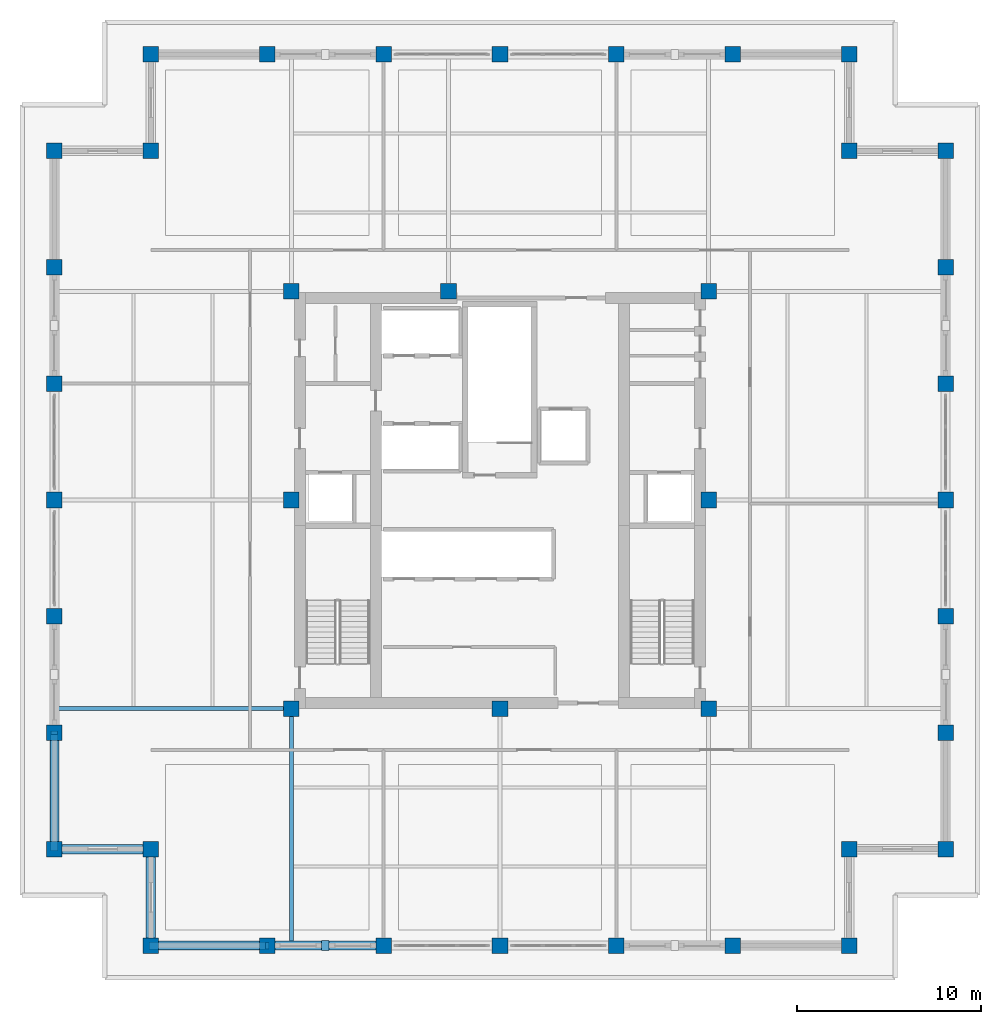
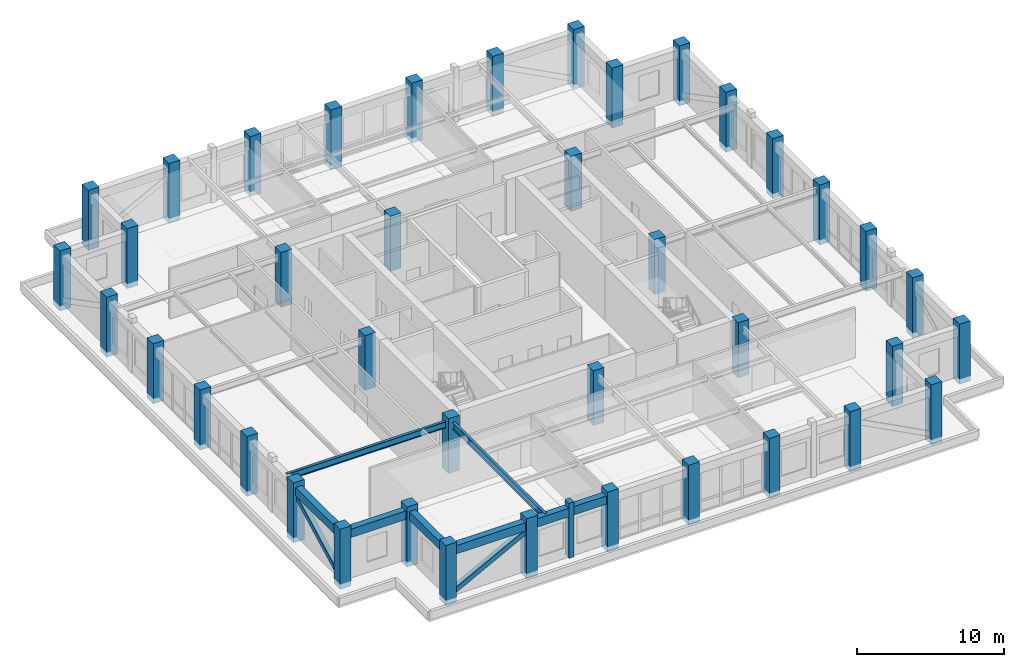
# One storey, part 1 of 14: 40 columns, 7 beams, 3 members.
"""IFC4 building model written with IfcOpenShell, lengths in metres."""

from ifc_helpers import new_model, si_unit, direction, frame, origin, origin_2d, place, context, subcontext, project, spatial, rectangle, hollow_rectangle, i_section, extrude, material, material_profile, profile_set, type_object, element, save


model = new_model("IFC4")

# Units and contexts
model_context = context("Model", 3, precision=1e-05, world=origin(), true_north=direction((0.0, 1.0)))
body_context = subcontext(model_context, "Body", "Model", "MODEL_VIEW")
ifc_project = project(units=[si_unit("LENGTHUNIT", "METRE"), si_unit("AREAUNIT", "SQUARE_METRE"), si_unit("VOLUMEUNIT", "CUBIC_METRE"), si_unit("PLANEANGLEUNIT", "RADIAN"), si_unit("MASSUNIT", "GRAM", prefix="KILO")], contexts=[model_context])

# Site, building, storey
site_placement = place(None, origin())
site = spatial("IfcSite", under=ifc_project, at=site_placement, CompositionType="ELEMENT")
building_placement = place(site_placement, origin())
building = spatial("IfcBuilding", under=site, at=building_placement, Name="Nhamokura Convention Tower", CompositionType="ELEMENT")
storey_placement = place(building_placement, frame((0.0, 0.0, 182.35009765625)))
storey = spatial("IfcBuildingStorey", under=building, at=storey_placement, Name="L44", CompositionType="ELEMENT", Elevation=182.35009765625)

# Columns
ifc_material_1 = material(Name="Concrete C50/60", Category="concrete")
ifc_material_profile_1 = material_profile(ifc_material_1, rectangle(XDim=0.85009765625, YDim=0.85009765625, at=origin_2d()))
ifc_profile_set_1 = profile_set([ifc_material_profile_1], Name="Concrete C50/60")
column_type = type_object("IfcColumnType", Name="TubeColumn_Z3_850", PredefinedType="COLUMN", material=ifc_profile_set_1)
for number, where, z_axis, x_axis, name in (
    (1, (20.64990234375, 20.64990234375, 0.0), (0.0, 0.0, 1.0), (1.0, 0.0, 0.0), "L44 Core Column CC-SW"),
    (2, (32.0, 20.64990234375, 0.0), (0.0, 0.0, 1.0), (1.0, 0.0, 0.0), "L44 Core Column CC-S"),
    (3, (43.35009765625, 20.64990234375, 0.0), (0.0, 0.0, 1.0), (1.0, 0.0, 0.0), "L44 Core Column CC-SE"),
    (4, (43.35009765625, 32.0, 0.0), (0.0, 0.0, 1.0), (1.0, 0.0, 0.0), "L44 Core Column CC-E"),
    (5, (43.35009765625, 43.35009765625, 0.0), (0.0, 0.0, 1.0), (1.0, 0.0, 0.0), "L44 Core Column CC-NE"),
    (6, (29.199951171875, 43.35009765625, 0.0), (0.0, 0.0, 1.0), (1.0, 0.0, 0.0), "L44 Core Column CC-N"),
    (7, (20.64990234375, 43.35009765625, 0.0), (0.0, 0.0, 1.0), (1.0, 0.0, 0.0), "L44 Core Column CC-NW"),
    (8, (20.64990234375, 32.0, 0.0), (0.0, 0.0, 1.0), (1.0, 0.0, 0.0), "L44 Core Column CC-W"),
):
    element("IfcColumn", number, at=place(storey_placement, frame(where, z_axis=z_axis, x_axis=x_axis)), inside=storey, type_object=column_type, Name=name, PredefinedType="COLUMN", context=body_context, shape_type="SweptSolid", body=[
        extrude(rectangle(XDim=0.85009765625, YDim=0.85009765625, at=origin_2d()), origin(), (0.0, 0.0, 1.0), 4.5498046875),
    ])
for number, where, z_axis, x_axis, name in (
    (9, (13.0, 7.75, -0.420166015625), (0.0, 0.0, 1.0), (1.0, 0.0, 0.0), "L44 Perimeter Tube Column SW1"),
    (10, (13.0, 13.0, -0.420166015625), (0.0, 0.0, 1.0), (1.0, 0.0, 0.0), "L44 Perimeter Tube Column SW0"),
    (11, (7.75, 13.0, -0.420166015625), (0.0, 0.0, 1.0), (1.0, 0.0, 0.0), "L44 Perimeter Tube Column SW2"),
    (12, (51.0, 7.75, -0.420166015625), (0.0, 0.0, 1.0), (1.0, 0.0, 0.0), "L44 Perimeter Tube Column SE1"),
    (13, (51.0, 13.0, -0.420166015625), (0.0, 0.0, 1.0), (1.0, 0.0, 0.0), "L44 Perimeter Tube Column SE0"),
    (14, (56.25, 13.0, -0.420166015625), (0.0, 0.0, 1.0), (1.0, 0.0, 0.0), "L44 Perimeter Tube Column SE2"),
    (15, (56.25, 51.0, -0.420166015625), (0.0, 0.0, 1.0), (1.0, 0.0, 0.0), "L44 Perimeter Tube Column NE1"),
    (16, (51.0, 51.0, -0.420166015625), (0.0, 0.0, 1.0), (1.0, 0.0, 0.0), "L44 Perimeter Tube Column NE0"),
    (17, (51.0, 56.25, -0.420166015625), (0.0, 0.0, 1.0), (1.0, 0.0, 0.0), "L44 Perimeter Tube Column NE2"),
    (18, (13.0, 56.25, -0.420166015625), (0.0, 0.0, 1.0), (1.0, 0.0, 0.0), "L44 Perimeter Tube Column NW1"),
    (19, (13.0, 51.0, -0.420166015625), (0.0, 0.0, 1.0), (1.0, 0.0, 0.0), "L44 Perimeter Tube Column NW0"),
    (20, (7.75, 51.0, -0.420166015625), (0.0, 0.0, 1.0), (1.0, 0.0, 0.0), "L44 Perimeter Tube Column NW2"),
    (21, (19.333251953125, 7.75, -0.420166015625), (0.0, 0.0, 1.0), (1.0, 0.0, 0.0), "L44 Perimeter Tube Column S1"),
    (22, (19.333251953125, 56.25, -0.420166015625), (0.0, 0.0, 1.0), (1.0, 0.0, 0.0), "L44 Perimeter Tube Column N1"),
    (23, (7.75, 19.333251953125, -0.420166015625), (0.0, 0.0, 1.0), (1.0, 0.0, 0.0), "L44 Perimeter Tube Column W1"),
    (24, (56.25, 19.333251953125, -0.420166015625), (0.0, 0.0, 1.0), (1.0, 0.0, 0.0), "L44 Perimeter Tube Column E1"),
    (25, (25.666748046875, 7.75, -0.420166015625), (0.0, 0.0, 1.0), (1.0, 0.0, 0.0), "L44 Perimeter Tube Column S2"),
    (26, (25.666748046875, 56.25, -0.420166015625), (0.0, 0.0, 1.0), (1.0, 0.0, 0.0), "L44 Perimeter Tube Column N2"),
    (27, (7.75, 25.666748046875, -0.420166015625), (0.0, 0.0, 1.0), (1.0, 0.0, 0.0), "L44 Perimeter Tube Column W2"),
    (28, (56.25, 25.666748046875, -0.420166015625), (0.0, 0.0, 1.0), (1.0, 0.0, 0.0), "L44 Perimeter Tube Column E2"),
    (29, (32.0, 7.75, -0.420166015625), (0.0, 0.0, 1.0), (1.0, 0.0, 0.0), "L44 Perimeter Tube Column S3"),
    (30, (32.0, 56.25, -0.420166015625), (0.0, 0.0, 1.0), (1.0, 0.0, 0.0), "L44 Perimeter Tube Column N3"),
    (31, (7.75, 32.0, -0.420166015625), (0.0, 0.0, 1.0), (1.0, 0.0, 0.0), "L44 Perimeter Tube Column W3"),
    (32, (56.25, 32.0, -0.420166015625), (0.0, 0.0, 1.0), (1.0, 0.0, 0.0), "L44 Perimeter Tube Column E3"),
    (33, (38.333251953125, 7.75, -0.420166015625), (0.0, 0.0, 1.0), (1.0, 0.0, 0.0), "L44 Perimeter Tube Column S4"),
    (34, (38.333251953125, 56.25, -0.420166015625), (0.0, 0.0, 1.0), (1.0, 0.0, 0.0), "L44 Perimeter Tube Column N4"),
    (35, (7.75, 38.333251953125, -0.420166015625), (0.0, 0.0, 1.0), (1.0, 0.0, 0.0), "L44 Perimeter Tube Column W4"),
    (36, (56.25, 38.333251953125, -0.420166015625), (0.0, 0.0, 1.0), (1.0, 0.0, 0.0), "L44 Perimeter Tube Column E4"),
    (37, (44.666748046875, 7.75, -0.420166015625), (0.0, 0.0, 1.0), (1.0, 0.0, 0.0), "L44 Perimeter Tube Column S5"),
    (38, (44.666748046875, 56.25, -0.420166015625), (0.0, 0.0, 1.0), (1.0, 0.0, 0.0), "L44 Perimeter Tube Column N5"),
    (39, (7.75, 44.666748046875, -0.420166015625), (0.0, 0.0, 1.0), (1.0, 0.0, 0.0), "L44 Perimeter Tube Column W5"),
    (40, (56.25, 44.666748046875, -0.420166015625), (0.0, 0.0, 1.0), (1.0, 0.0, 0.0), "L44 Perimeter Tube Column E5"),
):
    element("IfcColumn", number, at=place(storey_placement, frame(where, z_axis=z_axis, x_axis=x_axis)), inside=storey, type_object=column_type, Name=name, PredefinedType="COLUMN", context=body_context, shape_type="SweptSolid", body=[
        extrude(rectangle(XDim=0.85009765625, YDim=0.85009765625, at=origin_2d()), origin(), (0.0, 0.0, 1.0), 4.969970703125),
    ])

# Member
ifc_material_2 = material(Name="Bronze-pigmented precast concrete C45/55", Category="concrete")
ifc_material_profile_2 = material_profile(ifc_material_2, rectangle(XDim=0.39990234375, YDim=0.550048828125, at=origin_2d()))
ifc_profile_set_2 = profile_set([ifc_material_profile_2], Name="Bronze-pigmented precast concrete C45/55")
member_type_1 = type_object("IfcMemberType", Name="BronzePilaster_550", PredefinedType="USERDEFINED", material=ifc_profile_set_2)
member_placement = place(storey_placement, frame((22.5, 7.75, 0.0), z_axis=(0.0, 0.0, 1.0), x_axis=(1.0, 0.0, 0.0)))
element("IfcMember", 41, at=member_placement, inside=storey, type_object=member_type_1, Name="L44 Engaged Frame Pilaster SOUTH 1", ObjectType="PILASTER_TRIM", PredefinedType="USERDEFINED", context=body_context, shape_type="SweptSolid", body=[
    extrude(rectangle(XDim=0.39990234375, YDim=0.550048828125, at=origin_2d()), origin(), (0.0, 0.0, 1.0), 4.5498046875),
])

# Beams
ifc_material_3 = material(Name="Steel ASTM A992 Gr 50", Category="steel")
ifc_material_profile_3 = material_profile(ifc_material_3, i_section(OverallWidth=0.2109375, OverallDepth=0.5390625, WebThickness=0.01171875, FlangeThickness=0.018798828125, at=origin_2d()))
ifc_profile_set_3 = profile_set([ifc_material_profile_3], Name="Steel ASTM A992 Gr 50")
beam_type_1 = type_object("IfcBeamType", Name="PrimaryGirder_W530X109", PredefinedType="BEAM", material=ifc_profile_set_3)
for number, where, z_axis, x_axis, name in (
    (42, (20.64990234375, 7.75, 3.8603515625), (0.0, 1.0, 0.0), (-1.0, 0.0, 0.0), "L44 Primary Floor Girder PG-S1"),
    (43, (7.75, 20.64990234375, 3.8603515625), (1.0, 0.0, 0.0), (0.0, 1.0, 0.0), "L44 Primary Floor Girder PG-W1"),
):
    element("IfcBeam", number, at=place(storey_placement, frame(where, z_axis=z_axis, x_axis=x_axis)), inside=storey, type_object=beam_type_1, Name=name, PredefinedType="BEAM", context=body_context, shape_type="SweptSolid", body=[
        extrude(i_section(OverallWidth=0.2109375, OverallDepth=0.5390625, WebThickness=0.01171875, FlangeThickness=0.018798828125, at=origin_2d()), origin(), (0.0, 0.0, 1.0), 12.89990234375),
    ])

# Members
ifc_material_4 = material(Name="Steel ASTM A572 Gr 50", Category="steel")
ifc_material_profile_4 = material_profile(ifc_material_4, hollow_rectangle(XDim=0.39990234375, YDim=0.39990234375, WallThickness=0.02001953125, at=origin_2d()))
ifc_profile_set_4 = profile_set([ifc_material_profile_4], Name="Steel ASTM A572 Gr 50")
member_type_2 = type_object("IfcMemberType", Name="TubeBrace_HSS400", PredefinedType="BRACE", material=ifc_profile_set_4)
for number, where, z_axis, x_axis, name in (
    (44, (13.0, 7.75, 0.14990234375), (0.885103184305, 0.0, 0.46539483574), (0.0, 1.0, 0.0), "L44 Perimeter Tube Brace SOUTH Bay 0"),
    (45, (7.75, 13.0, 0.14990234375), (0.0, 0.885103184305, 0.46539483574), (-1.0, 0.0, 0.0), "L44 Perimeter Tube Brace WEST Bay 0"),
):
    element("IfcMember", number, at=place(storey_placement, frame(where, z_axis=z_axis, x_axis=x_axis)), inside=storey, type_object=member_type_2, Name=name, PredefinedType="BRACE", context=body_context, shape_type="SweptSolid", body=[
        extrude(hollow_rectangle(XDim=0.39990234375, YDim=0.39990234375, WallThickness=0.02001953125, at=origin_2d()), origin(), (0.0, 0.0, 1.0), 7.1552734375),
    ])

# Beams
ifc_material_5 = material(Name="Concrete C50/60", Category="concrete")
ifc_material_profile_5 = material_profile(ifc_material_5, rectangle(XDim=0.5, YDim=0.699951171875, at=origin_2d()))
ifc_profile_set_5 = profile_set([ifc_material_profile_5], Name="Concrete C50/60")
beam_type_2 = type_object("IfcBeamType", Name="TubeSpandrel_700", PredefinedType="SPANDREL", material=ifc_profile_set_5)
beam_1_placement = place(storey_placement, frame((13.0, 7.75, 3.77978515625), z_axis=(1.0, 0.0, 0.0), x_axis=(0.0, 1.0, 0.0)))
element("IfcBeam", 46, at=beam_1_placement, inside=storey, type_object=beam_type_2, Name="L44 Perimeter Spandrel SOUTH 1", PredefinedType="SPANDREL", context=body_context, shape_type="SweptSolid", body=[
    extrude(rectangle(XDim=0.5, YDim=0.699951171875, at=origin_2d()), origin(), (0.0, 0.0, 1.0), 6.333251953125),
])
beam_2_placement = place(storey_placement, frame((19.333251953125, 7.75, 3.77978515625), z_axis=(1.0, 0.0, 0.0), x_axis=(0.0, 1.0, 0.0)))
element("IfcBeam", 47, at=beam_2_placement, inside=storey, type_object=beam_type_2, Name="L44 Perimeter Spandrel SOUTH 2", PredefinedType="SPANDREL", context=body_context, shape_type="SweptSolid", body=[
    extrude(rectangle(XDim=0.5, YDim=0.699951171875, at=origin_2d()), origin(), (0.0, 0.0, 1.0), 6.33349609375),
])
beam_3_placement = place(storey_placement, frame((7.75, 13.0, 3.77978515625), z_axis=(0.0, 1.0, 0.0), x_axis=(-1.0, 0.0, 0.0)))
element("IfcBeam", 48, at=beam_3_placement, inside=storey, type_object=beam_type_2, Name="L44 Perimeter Spandrel WEST 1", PredefinedType="SPANDREL", context=body_context, shape_type="SweptSolid", body=[
    extrude(rectangle(XDim=0.5, YDim=0.699951171875, at=origin_2d()), origin(), (0.0, 0.0, 1.0), 6.333251953125),
])
for number, where, z_axis, x_axis, name in (
    (49, (13.0, 7.75, 3.77978515625), (0.0, 1.0, 0.0), (-1.0, 0.0, 0.0), "L44 Notch Spandrel SW1"),
    (50, (13.0, 13.0, 3.77978515625), (-1.0, 0.0, 0.0), (0.0, -1.0, 0.0), "L44 Notch Spandrel SW2"),
):
    element("IfcBeam", number, at=place(storey_placement, frame(where, z_axis=z_axis, x_axis=x_axis)), inside=storey, type_object=beam_type_2, Name=name, PredefinedType="SPANDREL", context=body_context, shape_type="SweptSolid", body=[
        extrude(rectangle(XDim=0.5, YDim=0.699951171875, at=origin_2d()), origin(), (0.0, 0.0, 1.0), 5.25),
    ])

save(model, "model.ifc")
